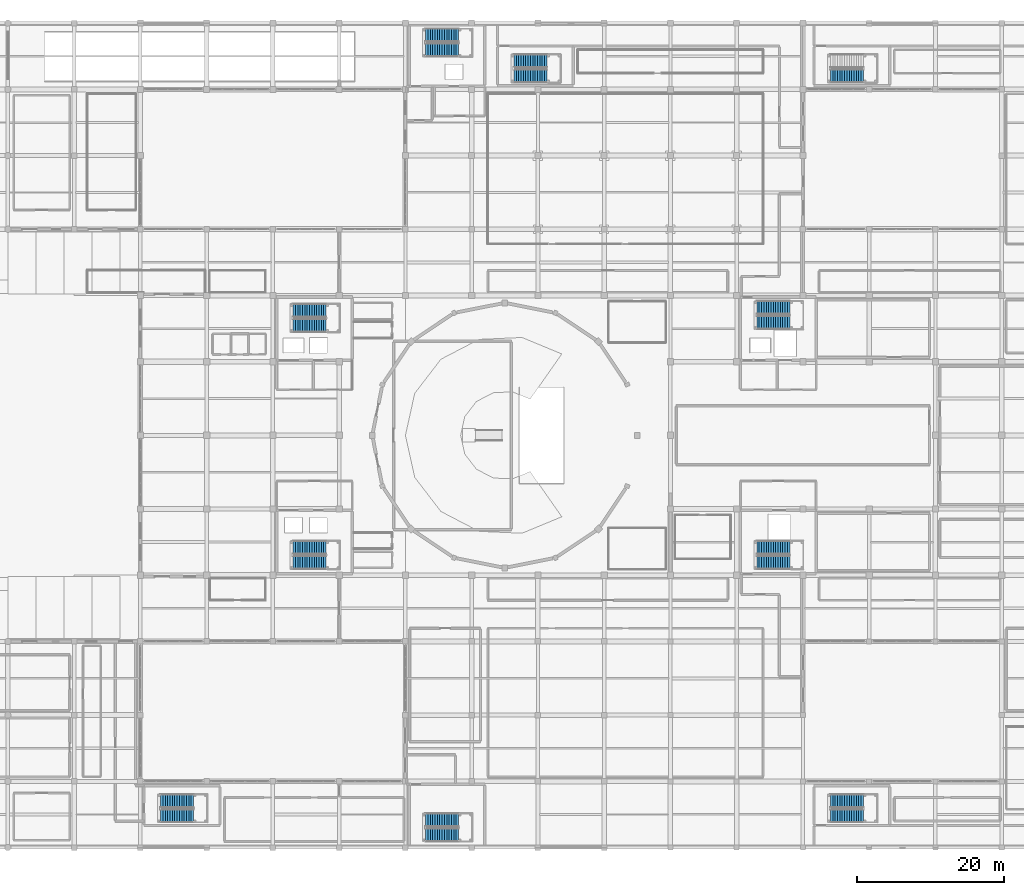
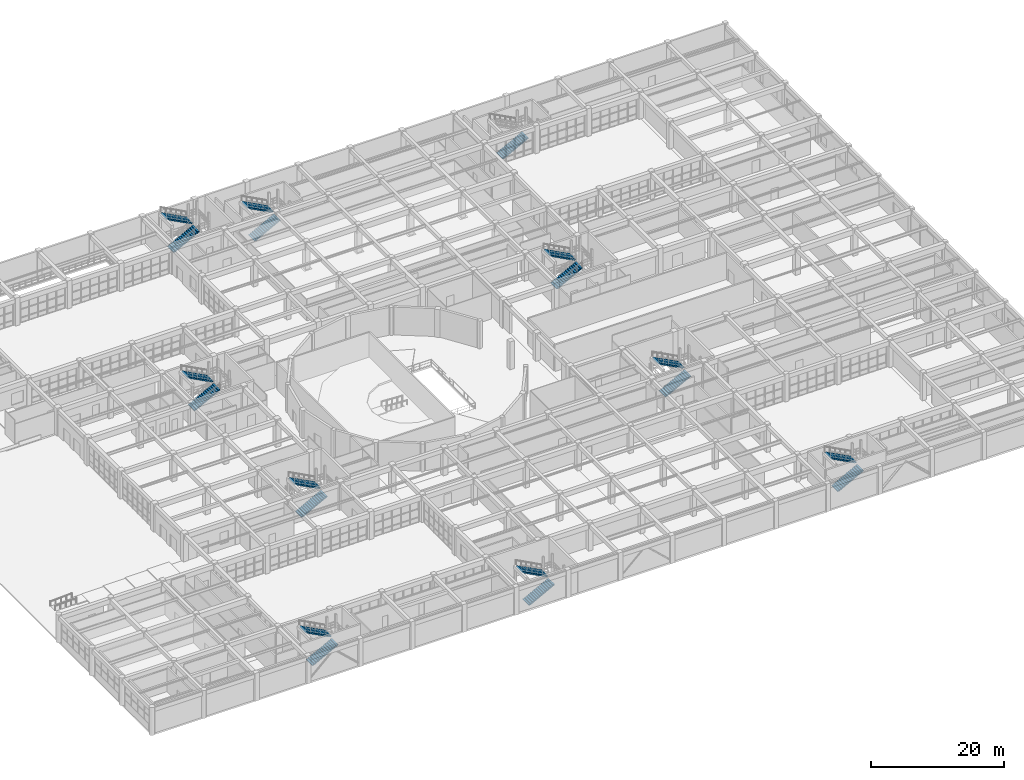
# One storey, part 114 of 128: 19 stair flights, 10 elements without a shape of their own.
"""IFC4 building model written with IfcOpenShell, lengths in metres."""

import ifcopenshell
import ifcopenshell.guid

model = None  # the IFC model being written
_history = None  # IfcOwnerHistory: only IFC2X3 demands one
_inside = {}  # id of a spatial element -> (the spatial element, [elements in it])
_under = {}  # id of a project, library or spatial element -> (it, [spatial elements below it])
_declared = {}  # id of a project -> (the project, [libraries it declares])
_typed = {}  # id of a type object -> (the type object, [elements of that type])
_made_of = {}  # id of a material, layer set ... -> (it, [elements and type objects made of it])


def new_model(schema):
    """Start an empty IFC model of exactly this schema.

    Asked for "IFC4X3", IfcOpenShell would pick the latest addendum, in which some entities
    have other attributes; the version numbers below select the first issue.
    IFC2X3 requires an IfcOwnerHistory on every rooted entity: one is made here for all.
    """
    global model, _history
    if schema == "IFC4X3":
        model = ifcopenshell.file(schema_version=(4, 3, 0, 0))
    else:
        model = ifcopenshell.file(schema=schema)
    _inside.clear()
    _under.clear()
    _declared.clear()
    _typed.clear()
    _made_of.clear()
    _history = None
    if model.schema == "IFC2X3":
        org = make("IfcOrganization", Name="unknown")
        user = make(
            "IfcPersonAndOrganization",
            ThePerson=make("IfcPerson", FamilyName="unknown"),
            TheOrganization=org,
        )
        app = make(
            "IfcApplication",
            ApplicationDeveloper=org,
            Version="unknown",
            ApplicationFullName="unknown",
            ApplicationIdentifier="unknown",
        )
        _history = make(
            "IfcOwnerHistory",
            OwningUser=user,
            OwningApplication=app,
            ChangeAction="ADDED",
            CreationDate=0,
        )
    return model


def make(cls, **values):
    """One entity of the class cls with the attributes given. An attribute that is None is left unset."""
    return model.create_entity(
        cls, **{name: value for name, value in values.items() if value is not None}
    )


def rooted(cls, **values):
    """An entity with a GlobalId (a new one), such as an element, a storey or a relation."""
    return make(cls, GlobalId=ifcopenshell.guid.new(), OwnerHistory=_history, **values)


def si_unit(unit_type, name, prefix=None):
    """IfcSIUnit, for example si_unit("LENGTHUNIT", "METRE", prefix="MILLI")."""
    return make("IfcSIUnit", UnitType=unit_type, Prefix=prefix, Name=name)


def assignment(units):
    """IfcUnitAssignment: the units of a project."""
    return None if units is None else make("IfcUnitAssignment", Units=units)


def point(xyz):
    """IfcCartesianPoint."""
    return None if xyz is None else make("IfcCartesianPoint", Coordinates=xyz)


def direction(xyz):
    """IfcDirection."""
    return None if xyz is None else make("IfcDirection", DirectionRatios=xyz)


def frame(location, z_axis=None, x_axis=None):
    """IfcAxis2Placement3D, a coordinate frame: its origin and axes. An axis left out is left unset."""
    return make(
        "IfcAxis2Placement3D",
        Location=point(location),
        Axis=direction(z_axis),
        RefDirection=direction(x_axis),
    )


def origin():
    """The frame at (0, 0, 0) with its axes left unset."""
    return frame((0.0, 0.0, 0.0))


def place(relative_to, where):
    """IfcLocalPlacement: puts the frame where relative to a parent placement (None: the world)."""
    return make(
        "IfcLocalPlacement", PlacementRelTo=relative_to, RelativePlacement=where
    )


def context(
    kind, dimensions, precision=None, world=None, true_north=None, identifier=None
):
    """IfcGeometricRepresentationContext, for example the 3D "Model" context."""
    return make(
        "IfcGeometricRepresentationContext",
        ContextIdentifier=identifier,
        ContextType=kind,
        CoordinateSpaceDimension=dimensions,
        Precision=precision,
        WorldCoordinateSystem=world,
        TrueNorth=true_north,
    )


def subcontext(parent, identifier, kind, view, scale=None):
    """IfcGeometricRepresentationSubContext, for example "Body" below "Model"."""
    return make(
        "IfcGeometricRepresentationSubContext",
        ContextIdentifier=identifier,
        ContextType=kind,
        ParentContext=parent,
        TargetScale=scale,
        TargetView=view,
    )


def project(units=None, contexts=None):
    """IfcProject with its units and contexts."""
    return rooted(
        "IfcProject",
        Name="project",
        RepresentationContexts=contexts,
        UnitsInContext=assignment(units),
    )


def spatial(cls, under=None, at=None, **own):
    """A site, building, storey or space (cls), placed at a placement, below another one or the project."""
    s = rooted(cls, ObjectPlacement=at, **own)
    if under is not None:
        _under.setdefault(under.id(), (under, []))[1].append(s)
    return s


def polyline(points):
    """IfcPolyline through the points."""
    return make("IfcPolyline", Points=[point(p) for p in points])


def outline(outer, holes=None, kind="AREA"):
    """IfcArbitraryClosedProfileDef: a profile drawn as a closed curve; with holes, ...WithVoids."""
    if holes is None:
        return make("IfcArbitraryClosedProfileDef", ProfileType=kind, OuterCurve=outer)
    return make(
        "IfcArbitraryProfileDefWithVoids",
        ProfileType=kind,
        OuterCurve=outer,
        InnerCurves=holes,
    )


def extrude(swept, where, along, depth):
    """IfcExtrudedAreaSolid: the profile swept, set in the frame where, extruded along a direction by depth."""
    return make(
        "IfcExtrudedAreaSolid",
        SweptArea=swept,
        Position=where,
        ExtrudedDirection=direction(along),
        Depth=depth,
    )


def shape(context_of_items, identifier, shape_type, items):
    """IfcShapeRepresentation: the items that make up one representation, for example the "Body"."""
    return make(
        "IfcShapeRepresentation",
        ContextOfItems=context_of_items,
        RepresentationIdentifier=identifier,
        RepresentationType=shape_type,
        Items=items,
    )


def material(Name=None, Category=None):
    """IfcMaterial."""
    return make("IfcMaterial", Name=Name, Category=Category)


def made_of(thing, what):
    """Note that an element or type object is made of a material, layer set ...; save() writes the relation."""
    if what is not None:
        _made_of.setdefault(what.id(), (what, []))[1].append(thing)
    return thing


def type_object(cls, material=None, **own):
    """A type object (cls), such as IfcWallType, which elements share."""
    return made_of(rooted(cls, **own), material)


def element(
    cls,
    number,
    at=None,
    inside=None,
    cuts=None,
    type_object=None,
    material=None,
    context=None,
    identifier="Body",
    shape_type=None,
    held_by="IfcProductDefinitionShape",
    body=None,
    shapes=None,
    **own,
):
    """One element of the class cls, such as IfcWall. Its Tag is "e" and its number.

    at: its placement. inside: the storey or other place that contains it. cuts: it is an
    opening in that element (IfcRelVoidsElement). A single representation is given by context,
    identifier, shape_type and body (its items); several are given by shapes. held_by: the class
    of the entity that holds the representations. save() writes the other relations.
    """
    e = rooted(cls, Tag="e%d" % number, ObjectPlacement=at, **own)
    if body is not None:
        shapes = [shape(context, identifier, shape_type, body)]
    if shapes is not None:
        e.Representation = make(held_by, Representations=shapes)
    if inside is not None:
        _inside.setdefault(inside.id(), (inside, []))[1].append(e)
    if cuts is not None:
        rooted(
            "IfcRelVoidsElement", RelatingBuildingElement=cuts, RelatedOpeningElement=e
        )
    if type_object is not None:
        _typed.setdefault(type_object.id(), (type_object, []))[1].append(e)
    return made_of(e, material)


def aggregate(whole, parts):
    """IfcRelAggregates: a whole, such as a stair, and the parts it consists of."""
    return rooted("IfcRelAggregates", RelatingObject=whole, RelatedObjects=parts)


def save(model, path):
    """Write the relations noted so far, then the file.

    IfcRelAggregates (storeys below a building ...), IfcRelContainedInSpatialStructure (elements
    in a storey), IfcRelDefinesByType, IfcRelAssociatesMaterial and IfcRelDeclares: one each for
    every whole, place, type object, material and project.
    """
    for whole, parts in _under.values():
        aggregate(whole, parts)
    for where, things in _inside.values():
        rooted(
            "IfcRelContainedInSpatialStructure",
            RelatedElements=things,
            RelatingStructure=where,
        )
    for kind, things in _typed.values():
        rooted("IfcRelDefinesByType", RelatedObjects=things, RelatingType=kind)
    for what, things in _made_of.values():
        rooted("IfcRelAssociatesMaterial", RelatedObjects=things, RelatingMaterial=what)
    for by, libraries in _declared.values():
        rooted("IfcRelDeclares", RelatingContext=by, RelatedDefinitions=libraries)
    model.write(path)


model = new_model("IFC4")

# Units and contexts
model_context = context("Model", 3, precision=1e-05, world=origin(), true_north=direction((0.0, 1.0)))
body_context = subcontext(model_context, "Body", "Model", "MODEL_VIEW")
ifc_project = project(units=[si_unit("LENGTHUNIT", "METRE"), si_unit("AREAUNIT", "SQUARE_METRE"), si_unit("VOLUMEUNIT", "CUBIC_METRE"), si_unit("PLANEANGLEUNIT", "RADIAN"), si_unit("MASSUNIT", "GRAM", prefix="KILO")], contexts=[model_context])

# Site, building, storey
site_placement = place(None, origin())
site = spatial("IfcSite", under=ifc_project, at=site_placement, CompositionType="ELEMENT")
building_placement = place(site_placement, origin())
building = spatial("IfcBuilding", under=site, at=building_placement, Name="Miravela Opera House", CompositionType="ELEMENT")
storey_placement = place(building_placement, origin())
storey = spatial("IfcBuildingStorey", under=building, at=storey_placement, Name="L00", CompositionType="ELEMENT", Elevation=0.0)

# Stair, stair flights
ifc_material = material(Name="Concrete C35/45", Category="concrete")
stair_type_1 = type_object("IfcStairType", Name="ARC-STAIR-CORE-1680", PredefinedType="HALF_TURN_STAIR", material=ifc_material)
stair_1_placement = place(storey_placement, origin())
stair_1 = element("IfcStair", 1, at=stair_1_placement, inside=storey, type_object=stair_type_1, Name="L00 Core K1 North Foyer and Firefighting Core Exit Stair ST-01", PredefinedType="HALF_TURN_STAIR")
stair_flight_type_1 = type_object("IfcStairFlightType", Name="ARC-FLIGHT-1680", PredefinedType="STRAIGHT", material=ifc_material)
stair_flight_1_placement = place(storey_placement, frame((47.739990234375, 70.919921875, 0.0), z_axis=(0.0, 0.0, 1.0), x_axis=(1.0, 0.0, 0.0)))
stair_flight_1 = element("IfcStairFlight", 2, at=stair_flight_1_placement, type_object=stair_flight_type_1, Name="ST-01 flight 1", NumberOfRisers=15, NumberOfTreads=14, PredefinedType="STRAIGHT", RiserHeight=0.17, TreadLength=0.32, context=body_context, shape_type="SweptSolid", body=[
    extrude(outline(polyline([(0.0, 0.0), (0.0, 0.169921875), (0.320068359375, 0.169921875), (0.320068359375, 0.340087890625), (0.639892578125, 0.340087890625), (0.639892578125, 0.510009765625), (0.9599609375, 0.510009765625), (0.9599609375, 0.679931640625), (1.280029296875, 0.679931640625), (1.280029296875, 0.85009765625), (1.60009765625, 0.85009765625), (1.60009765625, 1.02001953125), (1.919921875, 1.02001953125), (1.919921875, 1.18994140625), (2.239990234375, 1.18994140625), (2.239990234375, 1.360107421875), (2.56005859375, 1.360107421875), (2.56005859375, 1.530029296875), (2.8798828125, 1.530029296875), (2.8798828125, 1.699951171875), (3.199951171875, 1.699951171875), (3.199951171875, 1.8701171875), (3.52001953125, 1.8701171875), (3.52001953125, 2.0400390625), (3.840087890625, 2.0400390625), (3.840087890625, 2.2099609375), (4.159912109375, 2.2099609375), (4.159912109375, 2.3798828125), (4.47998046875, 2.3798828125), (4.47998046875, 2.550048828125), (4.47998046875, 2.210205078125), (0.319580078125, 0.0), (0.0, 0.0)])), frame((0.0, 0.919921875, 0.0), z_axis=(0.0, -1.0, 0.0), x_axis=(1.0, 0.0, 0.0)), (0.0, 0.0, 1.0), 1.840087890625),
])
stair_flight_2_placement = place(storey_placement, frame((52.219970703125, 72.9599609375, 2.550048828125), z_axis=(0.0, 0.0, 1.0), x_axis=(-1.0, 0.0, 0.0)))
stair_flight_2 = element("IfcStairFlight", 3, at=stair_flight_2_placement, type_object=stair_flight_type_1, Name="ST-01 flight 2", NumberOfRisers=15, NumberOfTreads=14, PredefinedType="STRAIGHT", RiserHeight=0.17, TreadLength=0.32, context=body_context, shape_type="SweptSolid", body=[
    extrude(outline(polyline([(0.0, 0.0), (0.0, 0.169921875), (0.320068359375, 0.169921875), (0.320068359375, 0.340087890625), (0.639892578125, 0.340087890625), (0.639892578125, 0.510009765625), (0.9599609375, 0.510009765625), (0.9599609375, 0.679931640625), (1.280029296875, 0.679931640625), (1.280029296875, 0.85009765625), (1.60009765625, 0.85009765625), (1.60009765625, 1.02001953125), (1.919921875, 1.02001953125), (1.919921875, 1.18994140625), (2.239990234375, 1.18994140625), (2.239990234375, 1.360107421875), (2.56005859375, 1.360107421875), (2.56005859375, 1.530029296875), (2.8798828125, 1.530029296875), (2.8798828125, 1.699951171875), (3.199951171875, 1.699951171875), (3.199951171875, 1.8701171875), (3.52001953125, 1.8701171875), (3.52001953125, 2.0400390625), (3.840087890625, 2.0400390625), (3.840087890625, 2.2099609375), (4.159912109375, 2.2099609375), (4.159912109375, 2.3798828125), (4.47998046875, 2.3798828125), (4.47998046875, 2.550048828125), (4.47998046875, 2.210205078125), (0.319580078125, 0.0), (0.0, 0.0)])), frame((0.0, 0.919921875, 0.0), z_axis=(0.0, -1.0, 0.0), x_axis=(1.0, 0.0, 0.0)), (0.0, 0.0, 1.0), 1.840087890625),
])
aggregate(stair_1, [stair_flight_1, stair_flight_2])

stair_2_placement = place(storey_placement, origin())
stair_2 = element("IfcStair", 4, at=stair_2_placement, inside=storey, type_object=stair_type_1, Name="L00 Core K2 South Foyer Core Exit Stair ST-02", PredefinedType="HALF_TURN_STAIR")
stair_flight_3_placement = place(storey_placement, frame((47.739990234375, 38.719970703125, 0.0), z_axis=(0.0, 0.0, 1.0), x_axis=(1.0, 0.0, 0.0)))
stair_flight_3 = element("IfcStairFlight", 5, at=stair_flight_3_placement, type_object=stair_flight_type_1, Name="ST-02 flight 1", NumberOfRisers=15, NumberOfTreads=14, PredefinedType="STRAIGHT", RiserHeight=0.17, TreadLength=0.32, context=body_context, shape_type="SweptSolid", body=[
    extrude(outline(polyline([(0.0, 0.0), (0.0, 0.169921875), (0.320068359375, 0.169921875), (0.320068359375, 0.340087890625), (0.639892578125, 0.340087890625), (0.639892578125, 0.510009765625), (0.9599609375, 0.510009765625), (0.9599609375, 0.679931640625), (1.280029296875, 0.679931640625), (1.280029296875, 0.85009765625), (1.60009765625, 0.85009765625), (1.60009765625, 1.02001953125), (1.919921875, 1.02001953125), (1.919921875, 1.18994140625), (2.239990234375, 1.18994140625), (2.239990234375, 1.360107421875), (2.56005859375, 1.360107421875), (2.56005859375, 1.530029296875), (2.8798828125, 1.530029296875), (2.8798828125, 1.699951171875), (3.199951171875, 1.699951171875), (3.199951171875, 1.8701171875), (3.52001953125, 1.8701171875), (3.52001953125, 2.0400390625), (3.840087890625, 2.0400390625), (3.840087890625, 2.2099609375), (4.159912109375, 2.2099609375), (4.159912109375, 2.3798828125), (4.47998046875, 2.3798828125), (4.47998046875, 2.550048828125), (4.47998046875, 2.210205078125), (0.319580078125, 0.0), (0.0, 0.0)])), frame((0.0, 0.919921875, 0.0), z_axis=(0.0, -1.0, 0.0), x_axis=(1.0, 0.0, 0.0)), (0.0, 0.0, 1.0), 1.840087890625),
])
stair_flight_4_placement = place(storey_placement, frame((52.219970703125, 40.760009765625, 2.550048828125), z_axis=(0.0, 0.0, 1.0), x_axis=(-1.0, 0.0, 0.0)))
stair_flight_4 = element("IfcStairFlight", 6, at=stair_flight_4_placement, type_object=stair_flight_type_1, Name="ST-02 flight 2", NumberOfRisers=15, NumberOfTreads=14, PredefinedType="STRAIGHT", RiserHeight=0.17, TreadLength=0.32, context=body_context, shape_type="SweptSolid", body=[
    extrude(outline(polyline([(0.0, 0.0), (0.0, 0.169921875), (0.320068359375, 0.169921875), (0.320068359375, 0.340087890625), (0.639892578125, 0.340087890625), (0.639892578125, 0.510009765625), (0.9599609375, 0.510009765625), (0.9599609375, 0.679931640625), (1.280029296875, 0.679931640625), (1.280029296875, 0.85009765625), (1.60009765625, 0.85009765625), (1.60009765625, 1.02001953125), (1.919921875, 1.02001953125), (1.919921875, 1.18994140625), (2.239990234375, 1.18994140625), (2.239990234375, 1.360107421875), (2.56005859375, 1.360107421875), (2.56005859375, 1.530029296875), (2.8798828125, 1.530029296875), (2.8798828125, 1.699951171875), (3.199951171875, 1.699951171875), (3.199951171875, 1.8701171875), (3.52001953125, 1.8701171875), (3.52001953125, 2.0400390625), (3.840087890625, 2.0400390625), (3.840087890625, 2.2099609375), (4.159912109375, 2.2099609375), (4.159912109375, 2.3798828125), (4.47998046875, 2.3798828125), (4.47998046875, 2.550048828125), (4.47998046875, 2.210205078125), (0.319580078125, 0.0), (0.0, 0.0)])), frame((0.0, 0.919921875, 0.0), z_axis=(0.0, -1.0, 0.0), x_axis=(1.0, 0.0, 0.0)), (0.0, 0.0, 1.0), 1.840087890625),
])
aggregate(stair_2, [stair_flight_3, stair_flight_4])

stair_3_placement = place(storey_placement, origin())
stair_3 = element("IfcStair", 7, at=stair_3_placement, inside=storey, type_object=stair_type_1, Name="L00 Core K3 North Stage and Firefighting Core Exit Stair ST-03", PredefinedType="HALF_TURN_STAIR")
stair_flight_5_placement = place(storey_placement, frame((110.739990234375, 71.320068359375, 0.0), z_axis=(0.0, 0.0, 1.0), x_axis=(1.0, 0.0, 0.0)))
stair_flight_5 = element("IfcStairFlight", 8, at=stair_flight_5_placement, type_object=stair_flight_type_1, Name="ST-03 flight 1", NumberOfRisers=15, NumberOfTreads=14, PredefinedType="STRAIGHT", RiserHeight=0.17, TreadLength=0.32, context=body_context, shape_type="SweptSolid", body=[
    extrude(outline(polyline([(0.0, 0.0), (0.0, 0.169921875), (0.320068359375, 0.169921875), (0.320068359375, 0.340087890625), (0.639892578125, 0.340087890625), (0.639892578125, 0.510009765625), (0.9599609375, 0.510009765625), (0.9599609375, 0.679931640625), (1.280029296875, 0.679931640625), (1.280029296875, 0.85009765625), (1.60009765625, 0.85009765625), (1.60009765625, 1.02001953125), (1.919921875, 1.02001953125), (1.919921875, 1.18994140625), (2.239990234375, 1.18994140625), (2.239990234375, 1.360107421875), (2.56005859375, 1.360107421875), (2.56005859375, 1.530029296875), (2.8798828125, 1.530029296875), (2.8798828125, 1.699951171875), (3.199951171875, 1.699951171875), (3.199951171875, 1.8701171875), (3.52001953125, 1.8701171875), (3.52001953125, 2.0400390625), (3.840087890625, 2.0400390625), (3.840087890625, 2.2099609375), (4.159912109375, 2.2099609375), (4.159912109375, 2.3798828125), (4.47998046875, 2.3798828125), (4.47998046875, 2.550048828125), (4.47998046875, 2.210205078125), (0.319580078125, 0.0), (0.0, 0.0)])), frame((0.0, 0.919921875, 0.0), z_axis=(0.0, -1.0, 0.0), x_axis=(1.0, 0.0, 0.0)), (0.0, 0.0, 1.0), 1.840087890625),
])
stair_flight_6_placement = place(storey_placement, frame((115.219970703125, 73.360107421875, 2.550048828125), z_axis=(0.0, 0.0, 1.0), x_axis=(-1.0, 0.0, 0.0)))
stair_flight_6 = element("IfcStairFlight", 9, at=stair_flight_6_placement, type_object=stair_flight_type_1, Name="ST-03 flight 2", NumberOfRisers=15, NumberOfTreads=14, PredefinedType="STRAIGHT", RiserHeight=0.17, TreadLength=0.32, context=body_context, shape_type="SweptSolid", body=[
    extrude(outline(polyline([(0.0, 0.0), (0.0, 0.169921875), (0.320068359375, 0.169921875), (0.320068359375, 0.340087890625), (0.639892578125, 0.340087890625), (0.639892578125, 0.510009765625), (0.9599609375, 0.510009765625), (0.9599609375, 0.679931640625), (1.280029296875, 0.679931640625), (1.280029296875, 0.85009765625), (1.60009765625, 0.85009765625), (1.60009765625, 1.02001953125), (1.919921875, 1.02001953125), (1.919921875, 1.18994140625), (2.239990234375, 1.18994140625), (2.239990234375, 1.360107421875), (2.56005859375, 1.360107421875), (2.56005859375, 1.530029296875), (2.8798828125, 1.530029296875), (2.8798828125, 1.699951171875), (3.199951171875, 1.699951171875), (3.199951171875, 1.8701171875), (3.52001953125, 1.8701171875), (3.52001953125, 2.0400390625), (3.840087890625, 2.0400390625), (3.840087890625, 2.2099609375), (4.159912109375, 2.2099609375), (4.159912109375, 2.3798828125), (4.47998046875, 2.3798828125), (4.47998046875, 2.550048828125), (4.47998046875, 2.210205078125), (0.319580078125, 0.0), (0.0, 0.0)])), frame((0.0, 0.919921875, 0.0), z_axis=(0.0, -1.0, 0.0), x_axis=(1.0, 0.0, 0.0)), (0.0, 0.0, 1.0), 1.840087890625),
])
aggregate(stair_3, [stair_flight_5, stair_flight_6])

stair_4_placement = place(storey_placement, origin())
stair_4 = element("IfcStair", 10, at=stair_4_placement, inside=storey, type_object=stair_type_1, Name="L00 Core K4 South Stage Core Exit Stair ST-04", PredefinedType="HALF_TURN_STAIR")
stair_flight_7_placement = place(storey_placement, frame((110.739990234375, 38.719970703125, 0.0), z_axis=(0.0, 0.0, 1.0), x_axis=(1.0, 0.0, 0.0)))
stair_flight_7 = element("IfcStairFlight", 11, at=stair_flight_7_placement, type_object=stair_flight_type_1, Name="ST-04 flight 1", NumberOfRisers=15, NumberOfTreads=14, PredefinedType="STRAIGHT", RiserHeight=0.17, TreadLength=0.32, context=body_context, shape_type="SweptSolid", body=[
    extrude(outline(polyline([(0.0, 0.0), (0.0, 0.169921875), (0.320068359375, 0.169921875), (0.320068359375, 0.340087890625), (0.639892578125, 0.340087890625), (0.639892578125, 0.510009765625), (0.9599609375, 0.510009765625), (0.9599609375, 0.679931640625), (1.280029296875, 0.679931640625), (1.280029296875, 0.85009765625), (1.60009765625, 0.85009765625), (1.60009765625, 1.02001953125), (1.919921875, 1.02001953125), (1.919921875, 1.18994140625), (2.239990234375, 1.18994140625), (2.239990234375, 1.360107421875), (2.56005859375, 1.360107421875), (2.56005859375, 1.530029296875), (2.8798828125, 1.530029296875), (2.8798828125, 1.699951171875), (3.199951171875, 1.699951171875), (3.199951171875, 1.8701171875), (3.52001953125, 1.8701171875), (3.52001953125, 2.0400390625), (3.840087890625, 2.0400390625), (3.840087890625, 2.2099609375), (4.159912109375, 2.2099609375), (4.159912109375, 2.3798828125), (4.47998046875, 2.3798828125), (4.47998046875, 2.550048828125), (4.47998046875, 2.210205078125), (0.319580078125, 0.0), (0.0, 0.0)])), frame((0.0, 0.919921875, 0.0), z_axis=(0.0, -1.0, 0.0), x_axis=(1.0, 0.0, 0.0)), (0.0, 0.0, 1.0), 1.840087890625),
])
stair_flight_8_placement = place(storey_placement, frame((115.219970703125, 40.760009765625, 2.550048828125), z_axis=(0.0, 0.0, 1.0), x_axis=(-1.0, 0.0, 0.0)))
stair_flight_8 = element("IfcStairFlight", 12, at=stair_flight_8_placement, type_object=stair_flight_type_1, Name="ST-04 flight 2", NumberOfRisers=15, NumberOfTreads=14, PredefinedType="STRAIGHT", RiserHeight=0.17, TreadLength=0.32, context=body_context, shape_type="SweptSolid", body=[
    extrude(outline(polyline([(0.0, 0.0), (0.0, 0.169921875), (0.320068359375, 0.169921875), (0.320068359375, 0.340087890625), (0.639892578125, 0.340087890625), (0.639892578125, 0.510009765625), (0.9599609375, 0.510009765625), (0.9599609375, 0.679931640625), (1.280029296875, 0.679931640625), (1.280029296875, 0.85009765625), (1.60009765625, 0.85009765625), (1.60009765625, 1.02001953125), (1.919921875, 1.02001953125), (1.919921875, 1.18994140625), (2.239990234375, 1.18994140625), (2.239990234375, 1.360107421875), (2.56005859375, 1.360107421875), (2.56005859375, 1.530029296875), (2.8798828125, 1.530029296875), (2.8798828125, 1.699951171875), (3.199951171875, 1.699951171875), (3.199951171875, 1.8701171875), (3.52001953125, 1.8701171875), (3.52001953125, 2.0400390625), (3.840087890625, 2.0400390625), (3.840087890625, 2.2099609375), (4.159912109375, 2.2099609375), (4.159912109375, 2.3798828125), (4.47998046875, 2.3798828125), (4.47998046875, 2.550048828125), (4.47998046875, 2.210205078125), (0.319580078125, 0.0), (0.0, 0.0)])), frame((0.0, 0.919921875, 0.0), z_axis=(0.0, -1.0, 0.0), x_axis=(1.0, 0.0, 0.0)), (0.0, 0.0, 1.0), 1.840087890625),
])
aggregate(stair_4, [stair_flight_7, stair_flight_8])

stair_5_placement = place(storey_placement, origin())
stair_5 = element("IfcStair", 13, at=stair_5_placement, inside=storey, type_object=stair_type_1, Name="L00 Core K5 North Rehearsal Core Exit Stair ST-05", PredefinedType="HALF_TURN_STAIR")
stair_flight_9_placement = place(storey_placement, frame((65.739990234375, 108.320068359375, 0.0), z_axis=(0.0, 0.0, 1.0), x_axis=(1.0, 0.0, 0.0)))
stair_flight_9 = element("IfcStairFlight", 14, at=stair_flight_9_placement, type_object=stair_flight_type_1, Name="ST-05 flight 1", NumberOfRisers=15, NumberOfTreads=14, PredefinedType="STRAIGHT", RiserHeight=0.17, TreadLength=0.32, context=body_context, shape_type="SweptSolid", body=[
    extrude(outline(polyline([(0.0, 0.0), (0.0, 0.169921875), (0.320068359375, 0.169921875), (0.320068359375, 0.340087890625), (0.639892578125, 0.340087890625), (0.639892578125, 0.510009765625), (0.9599609375, 0.510009765625), (0.9599609375, 0.679931640625), (1.280029296875, 0.679931640625), (1.280029296875, 0.85009765625), (1.60009765625, 0.85009765625), (1.60009765625, 1.02001953125), (1.919921875, 1.02001953125), (1.919921875, 1.18994140625), (2.239990234375, 1.18994140625), (2.239990234375, 1.360107421875), (2.56005859375, 1.360107421875), (2.56005859375, 1.530029296875), (2.8798828125, 1.530029296875), (2.8798828125, 1.699951171875), (3.199951171875, 1.699951171875), (3.199951171875, 1.8701171875), (3.52001953125, 1.8701171875), (3.52001953125, 2.0400390625), (3.840087890625, 2.0400390625), (3.840087890625, 2.2099609375), (4.159912109375, 2.2099609375), (4.159912109375, 2.3798828125), (4.47998046875, 2.3798828125), (4.47998046875, 2.550048828125), (4.47998046875, 2.210205078125), (0.319580078125, 0.0), (0.0, 0.0)])), frame((0.0, 0.919921875, 0.0), z_axis=(0.0, -1.0, 0.0), x_axis=(1.0, 0.0, 0.0)), (0.0, 0.0, 1.0), 1.840087890625),
])
stair_flight_10_placement = place(storey_placement, frame((70.219970703125, 110.360107421875, 2.550048828125), z_axis=(0.0, 0.0, 1.0), x_axis=(-1.0, 0.0, 0.0)))
stair_flight_10 = element("IfcStairFlight", 15, at=stair_flight_10_placement, type_object=stair_flight_type_1, Name="ST-05 flight 2", NumberOfRisers=15, NumberOfTreads=14, PredefinedType="STRAIGHT", RiserHeight=0.17, TreadLength=0.32, context=body_context, shape_type="SweptSolid", body=[
    extrude(outline(polyline([(0.0, 0.0), (0.0, 0.169921875), (0.320068359375, 0.169921875), (0.320068359375, 0.340087890625), (0.639892578125, 0.340087890625), (0.639892578125, 0.510009765625), (0.9599609375, 0.510009765625), (0.9599609375, 0.679931640625), (1.280029296875, 0.679931640625), (1.280029296875, 0.85009765625), (1.60009765625, 0.85009765625), (1.60009765625, 1.02001953125), (1.919921875, 1.02001953125), (1.919921875, 1.18994140625), (2.239990234375, 1.18994140625), (2.239990234375, 1.360107421875), (2.56005859375, 1.360107421875), (2.56005859375, 1.530029296875), (2.8798828125, 1.530029296875), (2.8798828125, 1.699951171875), (3.199951171875, 1.699951171875), (3.199951171875, 1.8701171875), (3.52001953125, 1.8701171875), (3.52001953125, 2.0400390625), (3.840087890625, 2.0400390625), (3.840087890625, 2.2099609375), (4.159912109375, 2.2099609375), (4.159912109375, 2.3798828125), (4.47998046875, 2.3798828125), (4.47998046875, 2.550048828125), (4.47998046875, 2.210205078125), (0.319580078125, 0.0), (0.0, 0.0)])), frame((0.0, 0.919921875, 0.0), z_axis=(0.0, -1.0, 0.0), x_axis=(1.0, 0.0, 0.0)), (0.0, 0.0, 1.0), 1.840087890625),
])
aggregate(stair_5, [stair_flight_9, stair_flight_10])

stair_6_placement = place(storey_placement, origin())
stair_6 = element("IfcStair", 16, at=stair_6_placement, inside=storey, type_object=stair_type_1, Name="L00 Core K6 South Artist Core Exit Stair ST-06", PredefinedType="HALF_TURN_STAIR")
stair_flight_11_placement = place(storey_placement, frame((65.739990234375, 1.719970703125, 0.0), z_axis=(0.0, 0.0, 1.0), x_axis=(1.0, 0.0, 0.0)))
stair_flight_11 = element("IfcStairFlight", 17, at=stair_flight_11_placement, type_object=stair_flight_type_1, Name="ST-06 flight 1", NumberOfRisers=15, NumberOfTreads=14, PredefinedType="STRAIGHT", RiserHeight=0.17, TreadLength=0.32, context=body_context, shape_type="SweptSolid", body=[
    extrude(outline(polyline([(0.0, 0.0), (0.0, 0.169921875), (0.320068359375, 0.169921875), (0.320068359375, 0.340087890625), (0.639892578125, 0.340087890625), (0.639892578125, 0.510009765625), (0.9599609375, 0.510009765625), (0.9599609375, 0.679931640625), (1.280029296875, 0.679931640625), (1.280029296875, 0.85009765625), (1.60009765625, 0.85009765625), (1.60009765625, 1.02001953125), (1.919921875, 1.02001953125), (1.919921875, 1.18994140625), (2.239990234375, 1.18994140625), (2.239990234375, 1.360107421875), (2.56005859375, 1.360107421875), (2.56005859375, 1.530029296875), (2.8798828125, 1.530029296875), (2.8798828125, 1.699951171875), (3.199951171875, 1.699951171875), (3.199951171875, 1.8701171875), (3.52001953125, 1.8701171875), (3.52001953125, 2.0400390625), (3.840087890625, 2.0400390625), (3.840087890625, 2.2099609375), (4.159912109375, 2.2099609375), (4.159912109375, 2.3798828125), (4.47998046875, 2.3798828125), (4.47998046875, 2.550048828125), (4.47998046875, 2.210205078125), (0.319580078125, 0.0), (0.0, 0.0)])), frame((0.0, 0.919921875, 0.0), z_axis=(0.0, -1.0, 0.0), x_axis=(1.0, 0.0, 0.0)), (0.0, 0.0, 1.0), 1.840087890625),
])
stair_flight_12_placement = place(storey_placement, frame((70.219970703125, 3.760009765625, 2.550048828125), z_axis=(0.0, 0.0, 1.0), x_axis=(-1.0, 0.0, 0.0)))
stair_flight_12 = element("IfcStairFlight", 18, at=stair_flight_12_placement, type_object=stair_flight_type_1, Name="ST-06 flight 2", NumberOfRisers=15, NumberOfTreads=14, PredefinedType="STRAIGHT", RiserHeight=0.17, TreadLength=0.32, context=body_context, shape_type="SweptSolid", body=[
    extrude(outline(polyline([(0.0, 0.0), (0.0, 0.169921875), (0.320068359375, 0.169921875), (0.320068359375, 0.340087890625), (0.639892578125, 0.340087890625), (0.639892578125, 0.510009765625), (0.9599609375, 0.510009765625), (0.9599609375, 0.679931640625), (1.280029296875, 0.679931640625), (1.280029296875, 0.85009765625), (1.60009765625, 0.85009765625), (1.60009765625, 1.02001953125), (1.919921875, 1.02001953125), (1.919921875, 1.18994140625), (2.239990234375, 1.18994140625), (2.239990234375, 1.360107421875), (2.56005859375, 1.360107421875), (2.56005859375, 1.530029296875), (2.8798828125, 1.530029296875), (2.8798828125, 1.699951171875), (3.199951171875, 1.699951171875), (3.199951171875, 1.8701171875), (3.52001953125, 1.8701171875), (3.52001953125, 2.0400390625), (3.840087890625, 2.0400390625), (3.840087890625, 2.2099609375), (4.159912109375, 2.2099609375), (4.159912109375, 2.3798828125), (4.47998046875, 2.3798828125), (4.47998046875, 2.550048828125), (4.47998046875, 2.210205078125), (0.319580078125, 0.0), (0.0, 0.0)])), frame((0.0, 0.919921875, 0.0), z_axis=(0.0, -1.0, 0.0), x_axis=(1.0, 0.0, 0.0)), (0.0, 0.0, 1.0), 1.840087890625),
])
aggregate(stair_6, [stair_flight_11, stair_flight_12])

stair_type_2 = type_object("IfcStairType", Name="ARC-STAIR-WING-1680", PredefinedType="HALF_TURN_STAIR", material=ifc_material)
stair_7_placement = place(storey_placement, origin())
stair_7 = element("IfcStair", 19, at=stair_7_placement, inside=storey, type_object=stair_type_2, Name="L00 North Wing West Exit Stair ST-07", PredefinedType="HALF_TURN_STAIR")
stair_flight_type_2 = type_object("IfcStairFlightType", Name="ARC-FLIGHT-WING-1680", PredefinedType="STRAIGHT", material=ifc_material)
stair_flight_13_placement = place(storey_placement, frame((77.739990234375, 104.820068359375, 0.0), z_axis=(0.0, 0.0, 1.0), x_axis=(1.0, 0.0, 0.0)))
stair_flight_13 = element("IfcStairFlight", 20, at=stair_flight_13_placement, type_object=stair_flight_type_2, Name="ST-07 flight 1", NumberOfRisers=15, NumberOfTreads=14, PredefinedType="STRAIGHT", RiserHeight=0.17, TreadLength=0.32, context=body_context, shape_type="SweptSolid", body=[
    extrude(outline(polyline([(0.0, 0.0), (0.0, 0.169921875), (0.320068359375, 0.169921875), (0.320068359375, 0.340087890625), (0.639892578125, 0.340087890625), (0.639892578125, 0.510009765625), (0.9599609375, 0.510009765625), (0.9599609375, 0.679931640625), (1.280029296875, 0.679931640625), (1.280029296875, 0.85009765625), (1.60009765625, 0.85009765625), (1.60009765625, 1.02001953125), (1.919921875, 1.02001953125), (1.919921875, 1.18994140625), (2.239990234375, 1.18994140625), (2.239990234375, 1.360107421875), (2.56005859375, 1.360107421875), (2.56005859375, 1.530029296875), (2.8798828125, 1.530029296875), (2.8798828125, 1.699951171875), (3.199951171875, 1.699951171875), (3.199951171875, 1.8701171875), (3.52001953125, 1.8701171875), (3.52001953125, 2.0400390625), (3.840087890625, 2.0400390625), (3.840087890625, 2.2099609375), (4.159912109375, 2.2099609375), (4.159912109375, 2.3798828125), (4.47998046875, 2.3798828125), (4.47998046875, 2.550048828125), (4.47998046875, 2.210205078125), (0.319580078125, 0.0), (0.0, 0.0)])), frame((0.0, 0.919921875, 0.0), z_axis=(0.0, -1.0, 0.0), x_axis=(1.0, 0.0, 0.0)), (0.0, 0.0, 1.0), 1.840087890625),
])
stair_flight_14_placement = place(storey_placement, frame((82.219970703125, 106.860107421875, 2.550048828125), z_axis=(0.0, 0.0, 1.0), x_axis=(-1.0, 0.0, 0.0)))
stair_flight_14 = element("IfcStairFlight", 21, at=stair_flight_14_placement, type_object=stair_flight_type_2, Name="ST-07 flight 2", NumberOfRisers=15, NumberOfTreads=14, PredefinedType="STRAIGHT", RiserHeight=0.17, TreadLength=0.32, context=body_context, shape_type="SweptSolid", body=[
    extrude(outline(polyline([(0.0, 0.0), (0.0, 0.169921875), (0.320068359375, 0.169921875), (0.320068359375, 0.340087890625), (0.639892578125, 0.340087890625), (0.639892578125, 0.510009765625), (0.9599609375, 0.510009765625), (0.9599609375, 0.679931640625), (1.280029296875, 0.679931640625), (1.280029296875, 0.85009765625), (1.60009765625, 0.85009765625), (1.60009765625, 1.02001953125), (1.919921875, 1.02001953125), (1.919921875, 1.18994140625), (2.239990234375, 1.18994140625), (2.239990234375, 1.360107421875), (2.56005859375, 1.360107421875), (2.56005859375, 1.530029296875), (2.8798828125, 1.530029296875), (2.8798828125, 1.699951171875), (3.199951171875, 1.699951171875), (3.199951171875, 1.8701171875), (3.52001953125, 1.8701171875), (3.52001953125, 2.0400390625), (3.840087890625, 2.0400390625), (3.840087890625, 2.2099609375), (4.159912109375, 2.2099609375), (4.159912109375, 2.3798828125), (4.47998046875, 2.3798828125), (4.47998046875, 2.550048828125), (4.47998046875, 2.210205078125), (0.319580078125, 0.0), (0.0, 0.0)])), frame((0.0, 0.919921875, 0.0), z_axis=(0.0, -1.0, 0.0), x_axis=(1.0, 0.0, 0.0)), (0.0, 0.0, 1.0), 1.840087890625),
])
aggregate(stair_7, [stair_flight_13, stair_flight_14])

stair_8_placement = place(storey_placement, origin())
stair_8 = element("IfcStair", 22, at=stair_8_placement, inside=storey, type_object=stair_type_2, Name="L00 South Wing West Exit Stair ST-08", PredefinedType="HALF_TURN_STAIR")
stair_flight_15_placement = place(storey_placement, frame((29.739990234375, 4.320068359375, 0.0), z_axis=(0.0, 0.0, 1.0), x_axis=(1.0, 0.0, 0.0)))
stair_flight_15 = element("IfcStairFlight", 23, at=stair_flight_15_placement, type_object=stair_flight_type_2, Name="ST-08 flight 1", NumberOfRisers=15, NumberOfTreads=14, PredefinedType="STRAIGHT", RiserHeight=0.17, TreadLength=0.32, context=body_context, shape_type="SweptSolid", body=[
    extrude(outline(polyline([(0.0, 0.0), (0.0, 0.169921875), (0.320068359375, 0.169921875), (0.320068359375, 0.340087890625), (0.639892578125, 0.340087890625), (0.639892578125, 0.510009765625), (0.9599609375, 0.510009765625), (0.9599609375, 0.679931640625), (1.280029296875, 0.679931640625), (1.280029296875, 0.85009765625), (1.60009765625, 0.85009765625), (1.60009765625, 1.02001953125), (1.919921875, 1.02001953125), (1.919921875, 1.18994140625), (2.239990234375, 1.18994140625), (2.239990234375, 1.360107421875), (2.56005859375, 1.360107421875), (2.56005859375, 1.530029296875), (2.8798828125, 1.530029296875), (2.8798828125, 1.699951171875), (3.199951171875, 1.699951171875), (3.199951171875, 1.8701171875), (3.52001953125, 1.8701171875), (3.52001953125, 2.0400390625), (3.840087890625, 2.0400390625), (3.840087890625, 2.2099609375), (4.159912109375, 2.2099609375), (4.159912109375, 2.3798828125), (4.47998046875, 2.3798828125), (4.47998046875, 2.550048828125), (4.47998046875, 2.210205078125), (0.319580078125, 0.0), (0.0, 0.0)])), frame((0.0, 0.919921875, 0.0), z_axis=(0.0, -1.0, 0.0), x_axis=(1.0, 0.0, 0.0)), (0.0, 0.0, 1.0), 1.840087890625),
])
stair_flight_16_placement = place(storey_placement, frame((34.219970703125, 6.360107421875, 2.550048828125), z_axis=(0.0, 0.0, 1.0), x_axis=(-1.0, 0.0, 0.0)))
stair_flight_16 = element("IfcStairFlight", 24, at=stair_flight_16_placement, type_object=stair_flight_type_2, Name="ST-08 flight 2", NumberOfRisers=15, NumberOfTreads=14, PredefinedType="STRAIGHT", RiserHeight=0.17, TreadLength=0.32, context=body_context, shape_type="SweptSolid", body=[
    extrude(outline(polyline([(0.0, 0.0), (0.0, 0.169921875), (0.320068359375, 0.169921875), (0.320068359375, 0.340087890625), (0.639892578125, 0.340087890625), (0.639892578125, 0.510009765625), (0.9599609375, 0.510009765625), (0.9599609375, 0.679931640625), (1.280029296875, 0.679931640625), (1.280029296875, 0.85009765625), (1.60009765625, 0.85009765625), (1.60009765625, 1.02001953125), (1.919921875, 1.02001953125), (1.919921875, 1.18994140625), (2.239990234375, 1.18994140625), (2.239990234375, 1.360107421875), (2.56005859375, 1.360107421875), (2.56005859375, 1.530029296875), (2.8798828125, 1.530029296875), (2.8798828125, 1.699951171875), (3.199951171875, 1.699951171875), (3.199951171875, 1.8701171875), (3.52001953125, 1.8701171875), (3.52001953125, 2.0400390625), (3.840087890625, 2.0400390625), (3.840087890625, 2.2099609375), (4.159912109375, 2.2099609375), (4.159912109375, 2.3798828125), (4.47998046875, 2.3798828125), (4.47998046875, 2.550048828125), (4.47998046875, 2.210205078125), (0.319580078125, 0.0), (0.0, 0.0)])), frame((0.0, 0.919921875, 0.0), z_axis=(0.0, -1.0, 0.0), x_axis=(1.0, 0.0, 0.0)), (0.0, 0.0, 1.0), 1.840087890625),
])
aggregate(stair_8, [stair_flight_15, stair_flight_16])

# Stair, stair flight
stair_9_placement = place(storey_placement, origin())
stair_9 = element("IfcStair", 25, at=stair_9_placement, inside=storey, type_object=stair_type_2, Name="L00 East Rehearsal Wing Exit Stair ST-09", PredefinedType="HALF_TURN_STAIR")
stair_flight_17_placement = place(storey_placement, frame((120.739990234375, 104.820068359375, 0.0), z_axis=(0.0, 0.0, 1.0), x_axis=(1.0, 0.0, 0.0)))
stair_flight_17 = element("IfcStairFlight", 26, at=stair_flight_17_placement, type_object=stair_flight_type_2, Name="ST-09 flight 1", NumberOfRisers=15, NumberOfTreads=14, PredefinedType="STRAIGHT", RiserHeight=0.17, TreadLength=0.32, context=body_context, shape_type="SweptSolid", body=[
    extrude(outline(polyline([(0.0, 0.0), (0.0, 0.169921875), (0.320068359375, 0.169921875), (0.320068359375, 0.340087890625), (0.639892578125, 0.340087890625), (0.639892578125, 0.510009765625), (0.9599609375, 0.510009765625), (0.9599609375, 0.679931640625), (1.280029296875, 0.679931640625), (1.280029296875, 0.85009765625), (1.60009765625, 0.85009765625), (1.60009765625, 1.02001953125), (1.919921875, 1.02001953125), (1.919921875, 1.18994140625), (2.239990234375, 1.18994140625), (2.239990234375, 1.360107421875), (2.56005859375, 1.360107421875), (2.56005859375, 1.530029296875), (2.8798828125, 1.530029296875), (2.8798828125, 1.699951171875), (3.199951171875, 1.699951171875), (3.199951171875, 1.8701171875), (3.52001953125, 1.8701171875), (3.52001953125, 2.0400390625), (3.840087890625, 2.0400390625), (3.840087890625, 2.2099609375), (4.159912109375, 2.2099609375), (4.159912109375, 2.3798828125), (4.47998046875, 2.3798828125), (4.47998046875, 2.550048828125), (4.47998046875, 2.210205078125), (0.319580078125, 0.0), (0.0, 0.0)])), frame((0.0, 0.919921875, 0.0), z_axis=(0.0, -1.0, 0.0), x_axis=(1.0, 0.0, 0.0)), (0.0, 0.0, 1.0), 1.840087890625),
])
aggregate(stair_9, [stair_flight_17])

# Stair, stair flights
stair_10_placement = place(storey_placement, origin())
stair_10 = element("IfcStair", 27, at=stair_10_placement, inside=storey, type_object=stair_type_2, Name="L00 East Workshop Wing Exit Stair ST-10", PredefinedType="HALF_TURN_STAIR")
stair_flight_18_placement = place(storey_placement, frame((120.739990234375, 4.320068359375, 0.0), z_axis=(0.0, 0.0, 1.0), x_axis=(1.0, 0.0, 0.0)))
stair_flight_18 = element("IfcStairFlight", 28, at=stair_flight_18_placement, type_object=stair_flight_type_2, Name="ST-10 flight 1", NumberOfRisers=15, NumberOfTreads=14, PredefinedType="STRAIGHT", RiserHeight=0.17, TreadLength=0.32, context=body_context, shape_type="SweptSolid", body=[
    extrude(outline(polyline([(0.0, 0.0), (0.0, 0.169921875), (0.320068359375, 0.169921875), (0.320068359375, 0.340087890625), (0.639892578125, 0.340087890625), (0.639892578125, 0.510009765625), (0.9599609375, 0.510009765625), (0.9599609375, 0.679931640625), (1.280029296875, 0.679931640625), (1.280029296875, 0.85009765625), (1.60009765625, 0.85009765625), (1.60009765625, 1.02001953125), (1.919921875, 1.02001953125), (1.919921875, 1.18994140625), (2.239990234375, 1.18994140625), (2.239990234375, 1.360107421875), (2.56005859375, 1.360107421875), (2.56005859375, 1.530029296875), (2.8798828125, 1.530029296875), (2.8798828125, 1.699951171875), (3.199951171875, 1.699951171875), (3.199951171875, 1.8701171875), (3.52001953125, 1.8701171875), (3.52001953125, 2.0400390625), (3.840087890625, 2.0400390625), (3.840087890625, 2.2099609375), (4.159912109375, 2.2099609375), (4.159912109375, 2.3798828125), (4.47998046875, 2.3798828125), (4.47998046875, 2.550048828125), (4.47998046875, 2.210205078125), (0.319580078125, 0.0), (0.0, 0.0)])), frame((0.0, 0.919921875, 0.0), z_axis=(0.0, -1.0, 0.0), x_axis=(1.0, 0.0, 0.0)), (0.0, 0.0, 1.0), 1.840087890625),
])
stair_flight_19_placement = place(storey_placement, frame((125.219970703125, 6.360107421875, 2.550048828125), z_axis=(0.0, 0.0, 1.0), x_axis=(-1.0, 0.0, 0.0)))
stair_flight_19 = element("IfcStairFlight", 29, at=stair_flight_19_placement, type_object=stair_flight_type_2, Name="ST-10 flight 2", NumberOfRisers=15, NumberOfTreads=14, PredefinedType="STRAIGHT", RiserHeight=0.17, TreadLength=0.32, context=body_context, shape_type="SweptSolid", body=[
    extrude(outline(polyline([(0.0, 0.0), (0.0, 0.169921875), (0.320068359375, 0.169921875), (0.320068359375, 0.340087890625), (0.639892578125, 0.340087890625), (0.639892578125, 0.510009765625), (0.9599609375, 0.510009765625), (0.9599609375, 0.679931640625), (1.280029296875, 0.679931640625), (1.280029296875, 0.85009765625), (1.60009765625, 0.85009765625), (1.60009765625, 1.02001953125), (1.919921875, 1.02001953125), (1.919921875, 1.18994140625), (2.239990234375, 1.18994140625), (2.239990234375, 1.360107421875), (2.56005859375, 1.360107421875), (2.56005859375, 1.530029296875), (2.8798828125, 1.530029296875), (2.8798828125, 1.699951171875), (3.199951171875, 1.699951171875), (3.199951171875, 1.8701171875), (3.52001953125, 1.8701171875), (3.52001953125, 2.0400390625), (3.840087890625, 2.0400390625), (3.840087890625, 2.2099609375), (4.159912109375, 2.2099609375), (4.159912109375, 2.3798828125), (4.47998046875, 2.3798828125), (4.47998046875, 2.550048828125), (4.47998046875, 2.210205078125), (0.319580078125, 0.0), (0.0, 0.0)])), frame((0.0, 0.919921875, 0.0), z_axis=(0.0, -1.0, 0.0), x_axis=(1.0, 0.0, 0.0)), (0.0, 0.0, 1.0), 1.840087890625),
])
aggregate(stair_10, [stair_flight_18, stair_flight_19])

save(model, "model.ifc")
